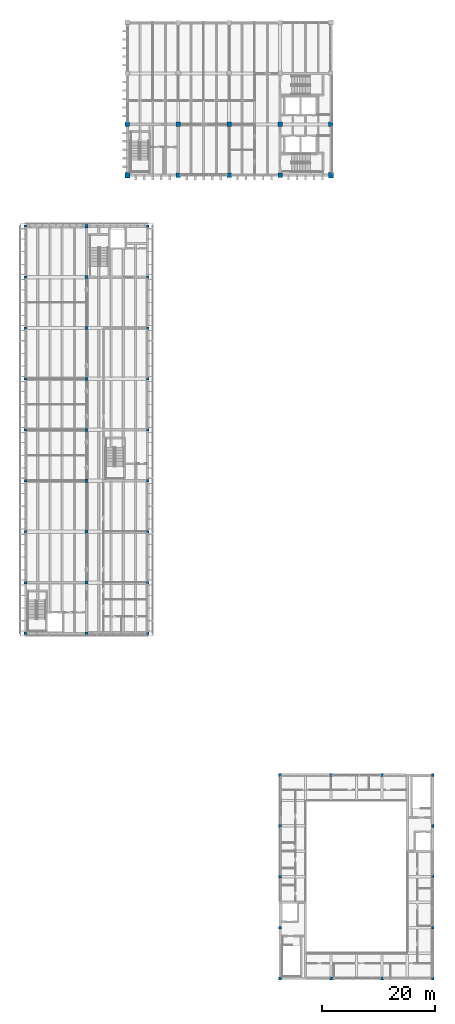
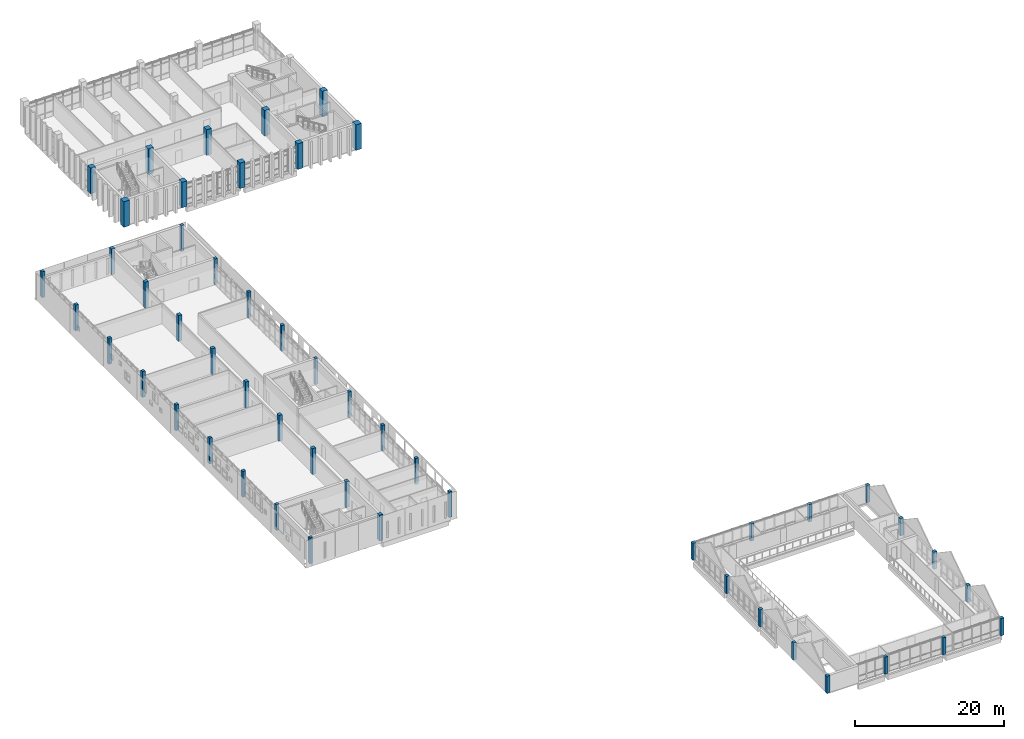
# One storey, part 1 of 50: 51 columns.
"""IFC4 building model written with IfcOpenShell, lengths in metres."""

import ifcopenshell
import ifcopenshell.guid

model = None  # the IFC model being written
_history = None  # IfcOwnerHistory: only IFC2X3 demands one
_inside = {}  # id of a spatial element -> (the spatial element, [elements in it])
_under = {}  # id of a project, library or spatial element -> (it, [spatial elements below it])
_declared = {}  # id of a project -> (the project, [libraries it declares])
_typed = {}  # id of a type object -> (the type object, [elements of that type])
_made_of = {}  # id of a material, layer set ... -> (it, [elements and type objects made of it])


def new_model(schema):
    """Start an empty IFC model of exactly this schema.

    Asked for "IFC4X3", IfcOpenShell would pick the latest addendum, in which some entities
    have other attributes; the version numbers below select the first issue.
    IFC2X3 requires an IfcOwnerHistory on every rooted entity: one is made here for all.
    """
    global model, _history
    if schema == "IFC4X3":
        model = ifcopenshell.file(schema_version=(4, 3, 0, 0))
    else:
        model = ifcopenshell.file(schema=schema)
    _inside.clear()
    _under.clear()
    _declared.clear()
    _typed.clear()
    _made_of.clear()
    _history = None
    if model.schema == "IFC2X3":
        org = make("IfcOrganization", Name="unknown")
        user = make(
            "IfcPersonAndOrganization",
            ThePerson=make("IfcPerson", FamilyName="unknown"),
            TheOrganization=org,
        )
        app = make(
            "IfcApplication",
            ApplicationDeveloper=org,
            Version="unknown",
            ApplicationFullName="unknown",
            ApplicationIdentifier="unknown",
        )
        _history = make(
            "IfcOwnerHistory",
            OwningUser=user,
            OwningApplication=app,
            ChangeAction="ADDED",
            CreationDate=0,
        )
    return model


def make(cls, **values):
    """One entity of the class cls with the attributes given. An attribute that is None is left unset."""
    return model.create_entity(
        cls, **{name: value for name, value in values.items() if value is not None}
    )


def rooted(cls, **values):
    """An entity with a GlobalId (a new one), such as an element, a storey or a relation."""
    return make(cls, GlobalId=ifcopenshell.guid.new(), OwnerHistory=_history, **values)


def si_unit(unit_type, name, prefix=None):
    """IfcSIUnit, for example si_unit("LENGTHUNIT", "METRE", prefix="MILLI")."""
    return make("IfcSIUnit", UnitType=unit_type, Prefix=prefix, Name=name)


def assignment(units):
    """IfcUnitAssignment: the units of a project."""
    return None if units is None else make("IfcUnitAssignment", Units=units)


def point(xyz):
    """IfcCartesianPoint."""
    return None if xyz is None else make("IfcCartesianPoint", Coordinates=xyz)


def direction(xyz):
    """IfcDirection."""
    return None if xyz is None else make("IfcDirection", DirectionRatios=xyz)


def frame(location, z_axis=None, x_axis=None):
    """IfcAxis2Placement3D, a coordinate frame: its origin and axes. An axis left out is left unset."""
    return make(
        "IfcAxis2Placement3D",
        Location=point(location),
        Axis=direction(z_axis),
        RefDirection=direction(x_axis),
    )


def frame_2d(location, x_axis=None):
    """IfcAxis2Placement2D, a coordinate frame in the plane: its origin and x axis."""
    return make(
        "IfcAxis2Placement2D", Location=point(location), RefDirection=direction(x_axis)
    )


def origin():
    """The frame at (0, 0, 0) with its axes left unset."""
    return frame((0.0, 0.0, 0.0))


def origin_2d():
    """The frame at (0, 0) in the plane with its x axis left unset."""
    return frame_2d((0.0, 0.0))


def place(relative_to, where):
    """IfcLocalPlacement: puts the frame where relative to a parent placement (None: the world)."""
    return make(
        "IfcLocalPlacement", PlacementRelTo=relative_to, RelativePlacement=where
    )


def context(
    kind, dimensions, precision=None, world=None, true_north=None, identifier=None
):
    """IfcGeometricRepresentationContext, for example the 3D "Model" context."""
    return make(
        "IfcGeometricRepresentationContext",
        ContextIdentifier=identifier,
        ContextType=kind,
        CoordinateSpaceDimension=dimensions,
        Precision=precision,
        WorldCoordinateSystem=world,
        TrueNorth=true_north,
    )


def subcontext(parent, identifier, kind, view, scale=None):
    """IfcGeometricRepresentationSubContext, for example "Body" below "Model"."""
    return make(
        "IfcGeometricRepresentationSubContext",
        ContextIdentifier=identifier,
        ContextType=kind,
        ParentContext=parent,
        TargetScale=scale,
        TargetView=view,
    )


def project(units=None, contexts=None):
    """IfcProject with its units and contexts."""
    return rooted(
        "IfcProject",
        Name="project",
        RepresentationContexts=contexts,
        UnitsInContext=assignment(units),
    )


def spatial(cls, under=None, at=None, **own):
    """A site, building, storey or space (cls), placed at a placement, below another one or the project."""
    s = rooted(cls, ObjectPlacement=at, **own)
    if under is not None:
        _under.setdefault(under.id(), (under, []))[1].append(s)
    return s


def profile(cls, at=None, kind="AREA", **sizes):
    """A parametric profile (cls). Its sizes go by their IFC names, for example OverallWidth=200.0."""
    return make(cls, ProfileType=kind, Position=at, **sizes)


def rectangle(**sizes):
    """IfcRectangleProfileDef."""
    return profile("IfcRectangleProfileDef", **sizes)


def extrude(swept, where, along, depth):
    """IfcExtrudedAreaSolid: the profile swept, set in the frame where, extruded along a direction by depth."""
    return make(
        "IfcExtrudedAreaSolid",
        SweptArea=swept,
        Position=where,
        ExtrudedDirection=direction(along),
        Depth=depth,
    )


def shape(context_of_items, identifier, shape_type, items):
    """IfcShapeRepresentation: the items that make up one representation, for example the "Body"."""
    return make(
        "IfcShapeRepresentation",
        ContextOfItems=context_of_items,
        RepresentationIdentifier=identifier,
        RepresentationType=shape_type,
        Items=items,
    )


def material(Name=None, Category=None):
    """IfcMaterial."""
    return make("IfcMaterial", Name=Name, Category=Category)


def material_profile(
    of_material, cross_section, Name=None, Category=None, Priority=None
):
    """IfcMaterialProfile: a cross section and its material."""
    return make(
        "IfcMaterialProfile",
        Name=Name,
        Material=of_material,
        Profile=cross_section,
        Priority=Priority,
        Category=Category,
    )


def profile_set(profiles, Name=None, composite=None):
    """IfcMaterialProfileSet."""
    return make(
        "IfcMaterialProfileSet",
        Name=Name,
        MaterialProfiles=profiles,
        CompositeProfile=composite,
    )


def made_of(thing, what):
    """Note that an element or type object is made of a material, layer set ...; save() writes the relation."""
    if what is not None:
        _made_of.setdefault(what.id(), (what, []))[1].append(thing)
    return thing


def type_object(cls, material=None, **own):
    """A type object (cls), such as IfcWallType, which elements share."""
    return made_of(rooted(cls, **own), material)


def element(
    cls,
    number,
    at=None,
    inside=None,
    cuts=None,
    type_object=None,
    material=None,
    context=None,
    identifier="Body",
    shape_type=None,
    held_by="IfcProductDefinitionShape",
    body=None,
    shapes=None,
    **own,
):
    """One element of the class cls, such as IfcWall. Its Tag is "e" and its number.

    at: its placement. inside: the storey or other place that contains it. cuts: it is an
    opening in that element (IfcRelVoidsElement). A single representation is given by context,
    identifier, shape_type and body (its items); several are given by shapes. held_by: the class
    of the entity that holds the representations. save() writes the other relations.
    """
    e = rooted(cls, Tag="e%d" % number, ObjectPlacement=at, **own)
    if body is not None:
        shapes = [shape(context, identifier, shape_type, body)]
    if shapes is not None:
        e.Representation = make(held_by, Representations=shapes)
    if inside is not None:
        _inside.setdefault(inside.id(), (inside, []))[1].append(e)
    if cuts is not None:
        rooted(
            "IfcRelVoidsElement", RelatingBuildingElement=cuts, RelatedOpeningElement=e
        )
    if type_object is not None:
        _typed.setdefault(type_object.id(), (type_object, []))[1].append(e)
    return made_of(e, material)


def aggregate(whole, parts):
    """IfcRelAggregates: a whole, such as a stair, and the parts it consists of."""
    return rooted("IfcRelAggregates", RelatingObject=whole, RelatedObjects=parts)


def save(model, path):
    """Write the relations noted so far, then the file.

    IfcRelAggregates (storeys below a building ...), IfcRelContainedInSpatialStructure (elements
    in a storey), IfcRelDefinesByType, IfcRelAssociatesMaterial and IfcRelDeclares: one each for
    every whole, place, type object, material and project.
    """
    for whole, parts in _under.values():
        aggregate(whole, parts)
    for where, things in _inside.values():
        rooted(
            "IfcRelContainedInSpatialStructure",
            RelatedElements=things,
            RelatingStructure=where,
        )
    for kind, things in _typed.values():
        rooted("IfcRelDefinesByType", RelatedObjects=things, RelatingType=kind)
    for what, things in _made_of.values():
        rooted("IfcRelAssociatesMaterial", RelatedObjects=things, RelatingMaterial=what)
    for by, libraries in _declared.values():
        rooted("IfcRelDeclares", RelatingContext=by, RelatedDefinitions=libraries)
    model.write(path)


model = new_model("IFC4")

# Units and contexts
model_context = context("Model", 3, precision=1e-05, world=origin(), true_north=direction((0.0, 1.0)))
body_context = subcontext(model_context, "Body", "Model", "MODEL_VIEW")
ifc_project = project(units=[si_unit("LENGTHUNIT", "METRE"), si_unit("AREAUNIT", "SQUARE_METRE"), si_unit("VOLUMEUNIT", "CUBIC_METRE"), si_unit("PLANEANGLEUNIT", "RADIAN"), si_unit("MASSUNIT", "GRAM", prefix="KILO")], contexts=[model_context])

# Site, building, storey
site_placement = place(None, origin())
site = spatial("IfcSite", under=ifc_project, at=site_placement, CompositionType="ELEMENT")
building_placement = place(site_placement, origin())
building = spatial("IfcBuilding", under=site, at=building_placement, Name="Merrow Basin Faculty of Sciences", CompositionType="ELEMENT")
storey_placement = place(building_placement, frame((0.0, 0.0, 18.0)))
storey = spatial("IfcBuildingStorey", under=building, at=storey_placement, Name="L04", CompositionType="ELEMENT", Elevation=18.0)

# Columns
ifc_material_1 = material(Name="Concrete C40/50", Category="concrete")
ifc_material_profile_1 = material_profile(ifc_material_1, rectangle(XDim=0.449951171875, YDim=0.449951171875, at=origin_2d()))
ifc_profile_set_1 = profile_set([ifc_material_profile_1], Name="Concrete C40/50")
column_type_1 = type_object("IfcColumnType", Name="Column RC450x450 C40/50", PredefinedType="COLUMN", material=ifc_profile_set_1)
for number, where, z_axis, x_axis, name in (
    (1, (0.0, 61.0, 0.0), (0.0, 0.0, 1.0), (1.0, 0.0, 0.0), "Column A1 L04"),
    (2, (0.0, 70.0, 0.0), (0.0, 0.0, 1.0), (1.0, 0.0, 0.0), "Column A2 L04"),
    (3, (0.0, 79.0, 0.0), (0.0, 0.0, 1.0), (1.0, 0.0, 0.0), "Column A3 L04"),
    (4, (0.0, 88.0, 0.0), (0.0, 0.0, 1.0), (1.0, 0.0, 0.0), "Column A4 L04"),
    (5, (0.0, 97.0, 0.0), (0.0, 0.0, 1.0), (1.0, 0.0, 0.0), "Column A5 L04"),
    (6, (0.0, 106.0, 0.0), (0.0, 0.0, 1.0), (1.0, 0.0, 0.0), "Column A6 L04"),
    (7, (0.0, 115.0, 0.0), (0.0, 0.0, 1.0), (1.0, 0.0, 0.0), "Column A7 L04"),
    (8, (0.0, 124.0, 0.0), (0.0, 0.0, 1.0), (1.0, 0.0, 0.0), "Column A8 L04"),
    (9, (0.0, 133.0, 0.0), (0.0, 0.0, 1.0), (1.0, 0.0, 0.0), "Column A9 L04"),
    (10, (21.60009765625, 61.0, 0.0), (0.0, 0.0, 1.0), (1.0, 0.0, 0.0), "Column C1 L04"),
    (11, (21.60009765625, 70.0, 0.0), (0.0, 0.0, 1.0), (1.0, 0.0, 0.0), "Column C2 L04"),
    (12, (21.60009765625, 79.0, 0.0), (0.0, 0.0, 1.0), (1.0, 0.0, 0.0), "Column C3 L04"),
    (13, (21.60009765625, 88.0, 0.0), (0.0, 0.0, 1.0), (1.0, 0.0, 0.0), "Column C4 L04"),
    (14, (21.60009765625, 97.0, 0.0), (0.0, 0.0, 1.0), (1.0, 0.0, 0.0), "Column C5 L04"),
    (15, (21.60009765625, 106.0, 0.0), (0.0, 0.0, 1.0), (1.0, 0.0, 0.0), "Column C6 L04"),
    (16, (21.60009765625, 115.0, 0.0), (0.0, 0.0, 1.0), (1.0, 0.0, 0.0), "Column C7 L04"),
    (17, (21.60009765625, 124.0, 0.0), (0.0, 0.0, 1.0), (1.0, 0.0, 0.0), "Column C8 L04"),
    (18, (21.60009765625, 133.0, 0.0), (0.0, 0.0, 1.0), (1.0, 0.0, 0.0), "Column C9 L04"),
):
    element("IfcColumn", number, at=place(storey_placement, frame(where, z_axis=z_axis, x_axis=x_axis)), inside=storey, type_object=column_type_1, Name=name, PredefinedType="COLUMN", context=body_context, shape_type="SweptSolid", body=[
        extrude(rectangle(XDim=0.449951171875, YDim=0.449951171875, at=origin_2d()), origin(), (0.0, 0.0, 1.0), 4.25),
    ])
ifc_material_2 = material(Name="Concrete C40/50", Category="concrete")
ifc_material_profile_2 = material_profile(ifc_material_2, rectangle(XDim=0.5, YDim=0.5, at=origin_2d()))
ifc_profile_set_2 = profile_set([ifc_material_profile_2], Name="Concrete C40/50")
column_type_2 = type_object("IfcColumnType", Name="Column RC500x500 C40/50", PredefinedType="COLUMN", material=ifc_profile_set_2)
for number, where, z_axis, x_axis, name in (
    (19, (45.0, 0.0, 0.0), (0.0, 0.0, 1.0), (1.0, 0.0, 0.0), "Column F10 L04"),
    (20, (45.0, 9.0, 0.0), (0.0, 0.0, 1.0), (1.0, 0.0, 0.0), "Column F L04"),
    (21, (45.0, 18.0, 0.0), (0.0, 0.0, 1.0), (1.0, 0.0, 0.0), "Column F L04"),
    (22, (45.0, 27.0, 0.0), (0.0, 0.0, 1.0), (1.0, 0.0, 0.0), "Column F L04"),
    (23, (45.0, 36.0, 0.0), (0.0, 0.0, 1.0), (1.0, 0.0, 0.0), "Column F11 L04"),
    (24, (54.0, 0.0, 0.0), (0.0, 0.0, 1.0), (1.0, 0.0, 0.0), "Column G10 L04"),
    (25, (54.0, 36.0, 0.0), (0.0, 0.0, 1.0), (1.0, 0.0, 0.0), "Column G11 L04"),
    (26, (63.0, 0.0, 0.0), (0.0, 0.0, 1.0), (1.0, 0.0, 0.0), "Column H10 L04"),
    (27, (63.0, 36.0, 0.0), (0.0, 0.0, 1.0), (1.0, 0.0, 0.0), "Column H11 L04"),
    (28, (72.0, 0.0, 0.0), (0.0, 0.0, 1.0), (1.0, 0.0, 0.0), "Column J10 L04"),
    (29, (72.0, 9.0, 0.0), (0.0, 0.0, 1.0), (1.0, 0.0, 0.0), "Column J L04"),
    (30, (72.0, 18.0, 0.0), (0.0, 0.0, 1.0), (1.0, 0.0, 0.0), "Column J L04"),
    (31, (72.0, 27.0, 0.0), (0.0, 0.0, 1.0), (1.0, 0.0, 0.0), "Column J L04"),
    (32, (72.0, 36.0, 0.0), (0.0, 0.0, 1.0), (1.0, 0.0, 0.0), "Column J11 L04"),
):
    element("IfcColumn", number, at=place(storey_placement, frame(where, z_axis=z_axis, x_axis=x_axis)), inside=storey, type_object=column_type_2, Name=name, PredefinedType="COLUMN", context=body_context, shape_type="SweptSolid", body=[
        extrude(rectangle(XDim=0.5, YDim=0.5, at=origin_2d()), origin(), (0.0, 0.0, 1.0), 2.81298828125),
    ])
ifc_material_3 = material(Name="Concrete C40/50", Category="concrete")
ifc_material_profile_3 = material_profile(ifc_material_3, rectangle(XDim=0.550048828125, YDim=0.550048828125, at=origin_2d()))
ifc_profile_set_3 = profile_set([ifc_material_profile_3], Name="Concrete C40/50")
column_type_3 = type_object("IfcColumnType", Name="Column RC550x550 C40/50", PredefinedType="COLUMN", material=ifc_profile_set_3)
for number, where, z_axis, x_axis, name in (
    (33, (10.800048828125, 61.0, 0.0), (0.0, 0.0, 1.0), (1.0, 0.0, 0.0), "Column B1 L04"),
    (34, (10.800048828125, 70.0, 0.0), (0.0, 0.0, 1.0), (1.0, 0.0, 0.0), "Column B2 L04"),
    (35, (10.800048828125, 79.0, 0.0), (0.0, 0.0, 1.0), (1.0, 0.0, 0.0), "Column B3 L04"),
    (36, (10.800048828125, 88.0, 0.0), (0.0, 0.0, 1.0), (1.0, 0.0, 0.0), "Column B4 L04"),
    (37, (10.800048828125, 97.0, 0.0), (0.0, 0.0, 1.0), (1.0, 0.0, 0.0), "Column B5 L04"),
    (38, (10.800048828125, 106.0, 0.0), (0.0, 0.0, 1.0), (1.0, 0.0, 0.0), "Column B6 L04"),
    (39, (10.800048828125, 115.0, 0.0), (0.0, 0.0, 1.0), (1.0, 0.0, 0.0), "Column B7 L04"),
    (40, (10.800048828125, 124.0, 0.0), (0.0, 0.0, 1.0), (1.0, 0.0, 0.0), "Column B8 L04"),
    (41, (10.800048828125, 133.0, 0.0), (0.0, 0.0, 1.0), (1.0, 0.0, 0.0), "Column B9 L04"),
):
    element("IfcColumn", number, at=place(storey_placement, frame(where, z_axis=z_axis, x_axis=x_axis)), inside=storey, type_object=column_type_3, Name=name, PredefinedType="COLUMN", context=body_context, shape_type="SweptSolid", body=[
        extrude(rectangle(XDim=0.550048828125, YDim=0.550048828125, at=origin_2d()), origin(), (0.0, 0.0, 1.0), 4.25),
    ])
ifc_material_4 = material(Name="Concrete C50/60", Category="concrete")
ifc_material_profile_4 = material_profile(ifc_material_4, rectangle(XDim=0.800048828125, YDim=0.800048828125, at=origin_2d()))
ifc_profile_set_4 = profile_set([ifc_material_profile_4], Name="Concrete C50/60")
column_type_4 = type_object("IfcColumnType", Name="Column RC800x800 C50/60", PredefinedType="COLUMN", material=ifc_profile_set_4)
for number, where, z_axis, x_axis, name in (
    (42, (18.0, 151.0, 0.0), (0.0, 0.0, 1.0), (1.0, 0.0, 0.0), "Column S14 L04"),
    (43, (27.0, 142.0, 0.0), (0.0, 0.0, 1.0), (1.0, 0.0, 0.0), "Column D13 L04"),
    (44, (27.0, 151.0, 0.0), (0.0, 0.0, 1.0), (1.0, 0.0, 0.0), "Column D14 L04"),
    (45, (36.0, 142.0, 0.0), (0.0, 0.0, 1.0), (1.0, 0.0, 0.0), "Column E13 L04"),
    (46, (36.0, 151.0, 0.0), (0.0, 0.0, 1.0), (1.0, 0.0, 0.0), "Column E14 L04"),
    (47, (45.0, 142.0, 0.0), (0.0, 0.0, 1.0), (1.0, 0.0, 0.0), "Column F13 L04"),
    (48, (45.0, 151.0, 0.0), (0.0, 0.0, 1.0), (1.0, 0.0, 0.0), "Column F14 L04"),
    (49, (54.0, 151.0, 0.0), (0.0, 0.0, 1.0), (1.0, 0.0, 0.0), "Column G14 L04"),
):
    element("IfcColumn", number, at=place(storey_placement, frame(where, z_axis=z_axis, x_axis=x_axis)), inside=storey, type_object=column_type_4, Name=name, PredefinedType="COLUMN", context=body_context, shape_type="SweptSolid", body=[
        extrude(rectangle(XDim=0.800048828125, YDim=0.800048828125, at=origin_2d()), origin(), (0.0, 0.0, 1.0), 4.199951171875),
    ])
ifc_material_5 = material(Name="Concrete C50/60", Category="concrete")
ifc_material_profile_5 = material_profile(ifc_material_5, rectangle(XDim=0.89990234375, YDim=0.89990234375, at=origin_2d()))
ifc_profile_set_5 = profile_set([ifc_material_profile_5], Name="Concrete C50/60")
column_type_5 = type_object("IfcColumnType", Name="Column RC900x900 C50/60", PredefinedType="COLUMN", material=ifc_profile_set_5)
for number, where, z_axis, x_axis, name in (
    (50, (18.0, 142.0, 0.0), (0.0, 0.0, 1.0), (1.0, 0.0, 0.0), "Column S13 L04"),
    (51, (54.0, 142.0, 0.0), (0.0, 0.0, 1.0), (1.0, 0.0, 0.0), "Column G13 L04"),
):
    element("IfcColumn", number, at=place(storey_placement, frame(where, z_axis=z_axis, x_axis=x_axis)), inside=storey, type_object=column_type_5, Name=name, PredefinedType="COLUMN", context=body_context, shape_type="SweptSolid", body=[
        extrude(rectangle(XDim=0.89990234375, YDim=0.89990234375, at=origin_2d()), origin(), (0.0, 0.0, 1.0), 4.199951171875),
    ])

save(model, "model.ifc")
